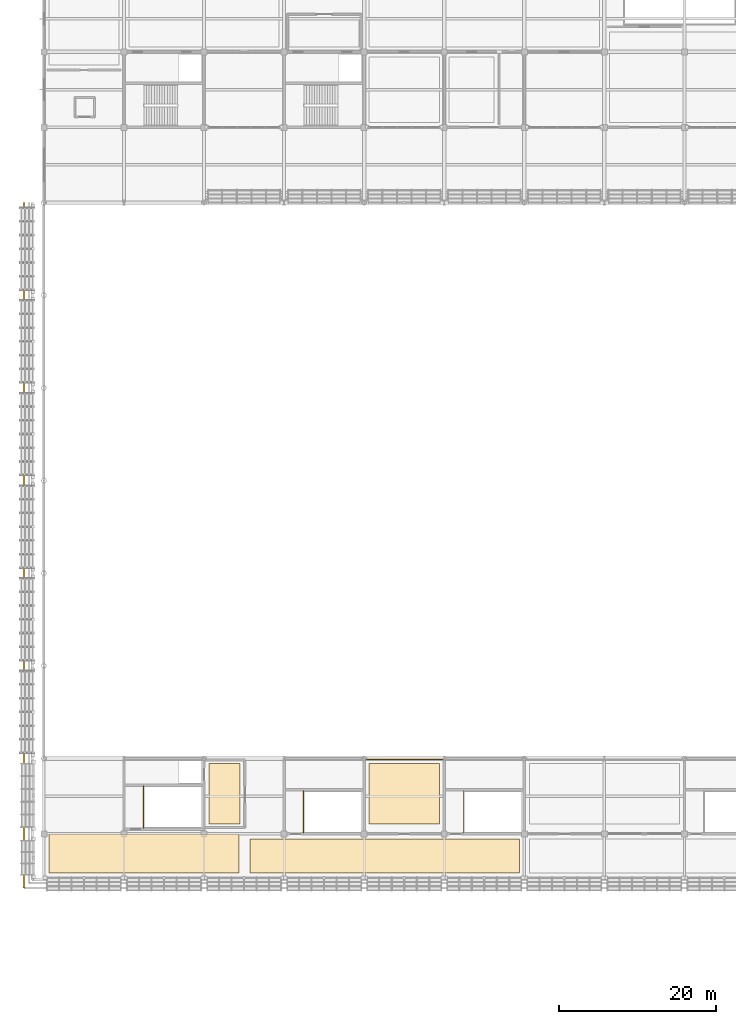
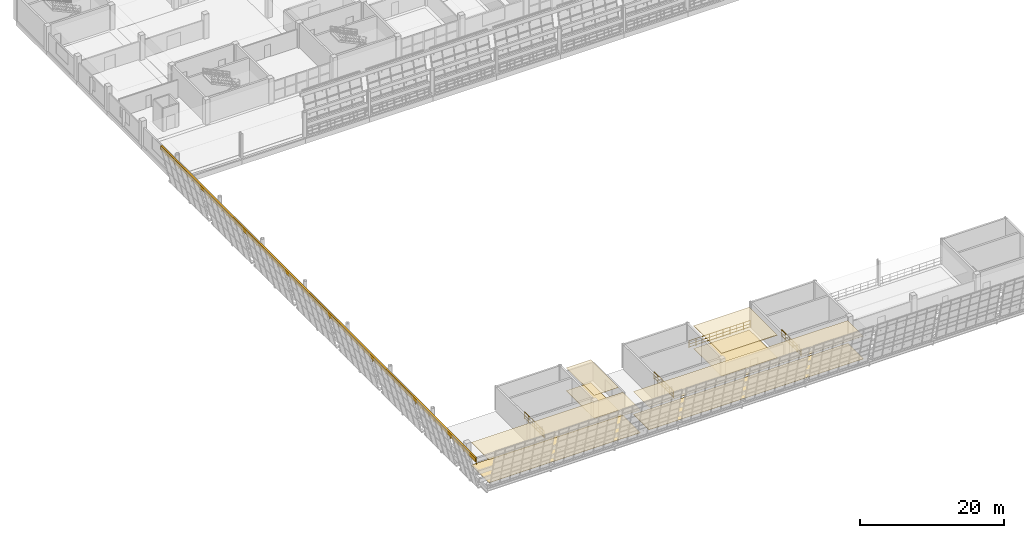
# One storey, part 143 of 157: 8 coverings, 5 railings.
"""IFC4 building model written with IfcOpenShell, lengths in metres."""

from ifc_helpers import new_model, si_unit, direction, frame, origin, origin_2d, place, context, subcontext, project, spatial, polyline, rectangle, circle, outline, extrude, material, layer, layer_set, type_object, element, save


model = new_model("IFC4")

# Units and contexts
model_context = context("Model", 3, precision=1e-05, world=origin(), true_north=direction((0.0, 1.0)))
body_context = subcontext(model_context, "Body", "Model", "MODEL_VIEW")
ifc_project = project(units=[si_unit("LENGTHUNIT", "METRE"), si_unit("AREAUNIT", "SQUARE_METRE"), si_unit("VOLUMEUNIT", "CUBIC_METRE"), si_unit("PLANEANGLEUNIT", "RADIAN"), si_unit("MASSUNIT", "GRAM", prefix="KILO")], contexts=[model_context])

# Site, building, storey
site_placement = place(None, origin())
site = spatial("IfcSite", under=ifc_project, at=site_placement, CompositionType="ELEMENT")
building_placement = place(site_placement, origin())
building = spatial("IfcBuilding", under=site, at=building_placement, Name="Brelvane Convention Centre", CompositionType="ELEMENT")
storey_placement = place(building_placement, frame((0.0, 0.0, 10.800048828125)))
storey = spatial("IfcBuildingStorey", under=building, at=storey_placement, Name="L02", CompositionType="ELEMENT", Elevation=10.800048828125)

# Coverings
ifc_material_1 = material(Name="Perforated Anodised Aluminium Alloy 6063 Acoustic Baffle", Category="aluminium")
ifc_layer_1 = layer(ifc_material_1, 0.06005859375)
ifc_layer_set_1 = layer_set([ifc_layer_1], Name="Perforated Anodised Aluminium Alloy 6063 Acoustic Baffle")
covering_type_1 = type_object("IfcCoveringType", Name="Interior Finish CL-BAF-60", PredefinedType="CEILING", material=ifc_layer_set_1)
covering_1_placement = place(storey_placement, frame((0.0, 0.0, 3.83984375)))
element("IfcCovering", 1, at=covering_1_placement, inside=storey, type_object=covering_type_1, Name="International Media Workroom Acoustic Ceiling (CL-BAF-60)", PredefinedType="CEILING", context=body_context, shape_type="SweptSolid", body=[
    extrude(outline(polyline([(26.22998046875, 14.22998046875), (60.570068359375, 14.22998046875), (60.570068359375, 18.570068359375), (26.22998046875, 18.570068359375), (26.22998046875, 14.22998046875)])), origin(), (0.0, 0.0, 1.0), 0.06005859375),
])
ifc_material_2 = material(Name="Perforated Anodised Aluminium Alloy 6063 Acoustic Baffle", Category="aluminium")
ifc_layer_2 = layer(ifc_material_2, 0.090087890625)
ifc_layer_set_2 = layer_set([ifc_layer_2], Name="Perforated Anodised Aluminium Alloy 6063 Acoustic Baffle")
covering_type_2 = type_object("IfcCoveringType", Name="Interior Finish CL-BAF-90", PredefinedType="CEILING", material=ifc_layer_set_2)
covering_2_placement = place(storey_placement, frame((0.0, 0.0, 3.81005859375)))
element("IfcCovering", 2, at=covering_2_placement, inside=storey, type_object=covering_type_2, Name="Exhibition Technical Control Gallery West Acoustic Ceiling (CL-BAF-90)", PredefinedType="CEILING", context=body_context, shape_type="SweptSolid", body=[
    extrude(outline(polyline([(41.429931640625, 20.429931640625), (50.3701171875, 20.429931640625), (50.3701171875, 28.169921875), (41.429931640625, 28.169921875), (41.429931640625, 20.429931640625)])), origin(), (0.0, 0.0, 1.0), 0.08984375),
])
ifc_material_3 = material(Name="Moisture-Resistant Acoustic Gypsum Ceiling Tile Grade A")
ifc_layer_3 = layer(ifc_material_3, 0.02490234375)
ifc_layer_set_3 = layer_set([ifc_layer_3], Name="Moisture-Resistant Acoustic Gypsum Ceiling Tile Grade A")
covering_type_3 = type_object("IfcCoveringType", Name="Interior Finish CL-GYP-25", PredefinedType="CEILING", material=ifc_layer_set_3)
covering_3_placement = place(storey_placement, frame((0.0, 0.0, 3.875)))
element("IfcCovering", 3, at=covering_3_placement, inside=storey, type_object=covering_type_3, Name="Firefighting Lift Lobby C1 Acoustic Ceiling (CL-GYP-25)", PredefinedType="CEILING", context=body_context, shape_type="SweptSolid", body=[
    extrude(outline(polyline([(21.030029296875, 20.429931640625), (24.969970703125, 20.429931640625), (24.969970703125, 28.169921875), (21.030029296875, 28.169921875), (21.030029296875, 20.429931640625)])), origin(), (0.0, 0.0, 1.0), 0.02490234375),
])
ifc_material_4 = material(Name="Moisture-Resistant Acoustic Gypsum Ceiling Tile Grade A")
ifc_layer_4 = layer(ifc_material_4, 0.0419921875)
ifc_layer_set_4 = layer_set([ifc_layer_4], Name="Moisture-Resistant Acoustic Gypsum Ceiling Tile Grade A")
covering_type_4 = type_object("IfcCoveringType", Name="Interior Finish CL-GYP-42", PredefinedType="CEILING", material=ifc_layer_set_4)
covering_4_placement = place(storey_placement, frame((0.0, 0.0, 3.85791015625)))
element("IfcCovering", 4, at=covering_4_placement, inside=storey, type_object=covering_type_4, Name="VIP Summit Lounge Acoustic Ceiling (CL-GYP-42)", PredefinedType="CEILING", context=body_context, shape_type="SweptSolid", body=[
    extrude(outline(polyline([(0.6298828125, 14.22998046875), (24.8701171875, 14.22998046875), (24.8701171875, 19.169921875), (0.6298828125, 19.169921875), (0.6298828125, 14.22998046875)])), origin(), (0.0, 0.0, 1.0), 0.0419921875),
])
ifc_material_5 = material(Name="Solution-Dyed Heavy Contract Wool Carpet Class 1")
ifc_layer_5 = layer(ifc_material_5, 0.028076171875)
ifc_layer_set_5 = layer_set([ifc_layer_5], Name="Solution-Dyed Heavy Contract Wool Carpet Class 1")
covering_type_5 = type_object("IfcCoveringType", Name="Interior Finish FL-CPT-28", PredefinedType="FLOORING", material=ifc_layer_set_5)
covering_5_placement = place(storey_placement, origin())
element("IfcCovering", 5, at=covering_5_placement, inside=storey, type_object=covering_type_5, Name="Firefighting Lift Lobby C1 Floor Finish (FL-CPT-28)", PredefinedType="FLOORING", context=body_context, shape_type="SweptSolid", body=[
    extrude(outline(polyline([(21.030029296875, 20.429931640625), (24.969970703125, 20.429931640625), (24.969970703125, 28.169921875), (21.030029296875, 28.169921875), (21.030029296875, 20.429931640625)])), origin(), (0.0, 0.0, 1.0), 0.02783203125),
])
ifc_material_6 = material(Name="Heavy-Duty Quartz-Filled Industrial Epoxy Screed Grade A")
ifc_layer_6 = layer(ifc_material_6, 0.034912109375)
ifc_layer_set_6 = layer_set([ifc_layer_6], Name="Heavy-Duty Quartz-Filled Industrial Epoxy Screed Grade A")
covering_type_6 = type_object("IfcCoveringType", Name="Interior Finish FL-EPX-35", PredefinedType="FLOORING", material=ifc_layer_set_6)
covering_6_placement = place(storey_placement, origin())
element("IfcCovering", 6, at=covering_6_placement, inside=storey, type_object=covering_type_6, Name="Exhibition Technical Control Gallery West Floor Finish (FL-EPX-35)", PredefinedType="FLOORING", context=body_context, shape_type="SweptSolid", body=[
    extrude(outline(polyline([(41.429931640625, 20.429931640625), (50.3701171875, 20.429931640625), (50.3701171875, 28.169921875), (41.429931640625, 28.169921875), (41.429931640625, 20.429931640625)])), origin(), (0.0, 0.0, 1.0), 0.034912109375),
])
ifc_material_7 = material(Name="Polished Basalt-Aggregate Terrazzo Screed Concrete M30", Category="masonry")
ifc_layer_7 = layer(ifc_material_7, 0.054931640625)
ifc_layer_set_7 = layer_set([ifc_layer_7], Name="Polished Basalt-Aggregate Terrazzo Screed Concrete M30")
covering_type_7 = type_object("IfcCoveringType", Name="Interior Finish FL-STN-55", PredefinedType="FLOORING", material=ifc_layer_set_7)
covering_7_placement = place(storey_placement, origin())
element("IfcCovering", 7, at=covering_7_placement, inside=storey, type_object=covering_type_7, Name="VIP Summit Lounge Floor Finish (FL-STN-55)", PredefinedType="FLOORING", context=body_context, shape_type="SweptSolid", body=[
    extrude(outline(polyline([(0.6298828125, 14.22998046875), (24.8701171875, 14.22998046875), (24.8701171875, 19.169921875), (0.6298828125, 19.169921875), (0.6298828125, 14.22998046875)])), origin(), (0.0, 0.0, 1.0), 0.054931640625),
])
ifc_material_8 = material(Name="Polished Basalt-Aggregate Terrazzo Screed Concrete M30", Category="masonry")
ifc_layer_8 = layer(ifc_material_8, 0.0400390625)
ifc_layer_set_8 = layer_set([ifc_layer_8], Name="Polished Basalt-Aggregate Terrazzo Screed Concrete M30")
covering_type_8 = type_object("IfcCoveringType", Name="Interior Finish FL-TER-40", PredefinedType="FLOORING", material=ifc_layer_set_8)
covering_8_placement = place(storey_placement, origin())
element("IfcCovering", 8, at=covering_8_placement, inside=storey, type_object=covering_type_8, Name="International Media Workroom Floor Finish (FL-TER-40)", PredefinedType="FLOORING", context=body_context, shape_type="SweptSolid", body=[
    extrude(outline(polyline([(26.22998046875, 14.22998046875), (60.570068359375, 14.22998046875), (60.570068359375, 18.570068359375), (26.22998046875, 18.570068359375), (26.22998046875, 14.22998046875)])), origin(), (0.0, 0.0, 1.0), 0.0400390625),
])

# Railings
ifc_material_9 = material(Name="Steel E350 (350 MPa)", Category="steel")
railing_type_1 = type_object("IfcRailingType", Name="Railing BL-ATR-2", PredefinedType="BALUSTRADE", material=ifc_material_9)
railing_1_placement = place(storey_placement, frame((41.0, 28.679931640625, 0.0)))
element("IfcRailing", 9, at=railing_1_placement, inside=storey, type_object=railing_type_1, Name="Railing BL-ATR-2 L02-exh_overlook_l02_w", PredefinedType="BALUSTRADE", context=body_context, shape_type="SweptSolid", body=[
    extrude(circle(Radius=0.02392578125, at=origin_2d()), frame((0.0, 0.0, 1.19580078125), z_axis=(1.0, 0.0, 0.0), x_axis=(0.0, 1.0, 0.0)), (0.0, 0.0, 1.0), 9.800048828125),
    extrude(circle(Radius=0.02392578125, at=origin_2d()), frame((0.0, 0.0, 0.63427734375), z_axis=(1.0, 0.0, 0.0), x_axis=(0.0, 1.0, 0.0)), (0.0, 0.0, 1.0), 9.800048828125),
    extrude(circle(Radius=0.02392578125, at=origin_2d()), frame((0.0, 0.0, 0.139892578125), z_axis=(1.0, 0.0, 0.0), x_axis=(0.0, 1.0, 0.0)), (0.0, 0.0, 1.0), 9.800048828125),
    extrude(circle(Radius=0.02099609375, at=origin_2d()), origin(), (0.0, 0.0, 1.0), 1.171875),
    extrude(circle(Radius=0.02099609375, at=origin_2d()), frame((1.0888671875, 0.0, 0.0)), (0.0, 0.0, 1.0), 1.171875),
    extrude(circle(Radius=0.02099609375, at=origin_2d()), frame((2.177734375, 0.0, 0.0)), (0.0, 0.0, 1.0), 1.171875),
    extrude(circle(Radius=0.02099609375, at=origin_2d()), frame((3.2666015625, 0.0, 0.0)), (0.0, 0.0, 1.0), 1.171875),
    extrude(circle(Radius=0.02099609375, at=origin_2d()), frame((4.35546875, 0.0, 0.0)), (0.0, 0.0, 1.0), 1.171875),
    extrude(circle(Radius=0.02099609375, at=origin_2d()), frame((5.444580078125, 0.0, 0.0)), (0.0, 0.0, 1.0), 1.171875),
    extrude(circle(Radius=0.02099609375, at=origin_2d()), frame((6.533447265625, 0.0, 0.0)), (0.0, 0.0, 1.0), 1.171875),
    extrude(circle(Radius=0.02099609375, at=origin_2d()), frame((7.622314453125, 0.0, 0.0)), (0.0, 0.0, 1.0), 1.171875),
    extrude(circle(Radius=0.02099609375, at=origin_2d()), frame((8.711181640625, 0.0, 0.0)), (0.0, 0.0, 1.0), 1.171875),
    extrude(circle(Radius=0.02099609375, at=origin_2d()), frame((9.800048828125, 0.0, 0.0)), (0.0, 0.0, 1.0), 1.171875),
])
ifc_material_10 = material(Name="Steel E350 (350 MPa)", Category="steel")
railing_type_2 = type_object("IfcRailingType", Name="Railing BL-CU-1", PredefinedType="BALUSTRADE", material=ifc_material_10)
railing_2_placement = place(storey_placement, frame((-2.547119140625, 12.29296875, 5.39990234375)))
element("IfcRailing", 10, at=railing_2_placement, inside=storey, type_object=railing_type_2, Name="Railing BL-CU-1 L02-cu_hull_w_6", PredefinedType="BALUSTRADE", context=body_context, shape_type="SweptSolid", body=[
    extrude(rectangle(XDim=0.280029296875, YDim=0.6201171875, at=origin_2d()), frame((0.0, 0.0, 0.81005859375), z_axis=(0.0, 1.0, 0.0), x_axis=(-1.0, 0.0, 0.0)), (0.0, 0.0, 1.0), 87.30712890625),
    extrude(circle(Radius=0.02099609375, at=origin_2d()), origin(), (0.0, 0.0, 1.0), 1.072021484375),
    extrude(circle(Radius=0.02099609375, at=origin_2d()), frame((0.0, 1.196044921875, 0.0)), (0.0, 0.0, 1.0), 1.072021484375),
    extrude(circle(Radius=0.02099609375, at=origin_2d()), frame((0.0, 2.39208984375, 0.0)), (0.0, 0.0, 1.0), 1.072021484375),
    extrude(circle(Radius=0.02099609375, at=origin_2d()), frame((0.0, 3.587890625, 0.0)), (0.0, 0.0, 1.0), 1.072021484375),
    extrude(circle(Radius=0.02099609375, at=origin_2d()), frame((0.0, 4.783935546875, 0.0)), (0.0, 0.0, 1.0), 1.072021484375),
    extrude(circle(Radius=0.02099609375, at=origin_2d()), frame((0.0, 5.97998046875, 0.0)), (0.0, 0.0, 1.0), 1.072021484375),
    extrude(circle(Radius=0.02099609375, at=origin_2d()), frame((0.0, 7.176025390625, 0.0)), (0.0, 0.0, 1.0), 1.072021484375),
    extrude(circle(Radius=0.02099609375, at=origin_2d()), frame((0.0, 8.371826171875, 0.0)), (0.0, 0.0, 1.0), 1.072021484375),
    extrude(circle(Radius=0.02099609375, at=origin_2d()), frame((0.0, 9.56787109375, 0.0)), (0.0, 0.0, 1.0), 1.072021484375),
    extrude(circle(Radius=0.02099609375, at=origin_2d()), frame((0.0, 10.763916015625, 0.0)), (0.0, 0.0, 1.0), 1.072021484375),
    extrude(circle(Radius=0.02099609375, at=origin_2d()), frame((0.0, 11.9599609375, 0.0)), (0.0, 0.0, 1.0), 1.072021484375),
    extrude(circle(Radius=0.02099609375, at=origin_2d()), frame((0.0, 13.15576171875, 0.0)), (0.0, 0.0, 1.0), 1.072021484375),
    extrude(circle(Radius=0.02099609375, at=origin_2d()), frame((0.0, 14.351806640625, 0.0)), (0.0, 0.0, 1.0), 1.072021484375),
    extrude(circle(Radius=0.02099609375, at=origin_2d()), frame((0.0, 15.5478515625, 0.0)), (0.0, 0.0, 1.0), 1.072021484375),
    extrude(circle(Radius=0.02099609375, at=origin_2d()), frame((0.0, 16.743896484375, 0.0)), (0.0, 0.0, 1.0), 1.072021484375),
    extrude(circle(Radius=0.02099609375, at=origin_2d()), frame((0.0, 17.93994140625, 0.0)), (0.0, 0.0, 1.0), 1.072021484375),
    extrude(circle(Radius=0.02099609375, at=origin_2d()), frame((0.0, 19.1357421875, 0.0)), (0.0, 0.0, 1.0), 1.072021484375),
    extrude(circle(Radius=0.02099609375, at=origin_2d()), frame((0.0, 20.331787109375, 0.0)), (0.0, 0.0, 1.0), 1.072021484375),
    extrude(circle(Radius=0.02099609375, at=origin_2d()), frame((0.0, 21.52783203125, 0.0)), (0.0, 0.0, 1.0), 1.072021484375),
    extrude(circle(Radius=0.02099609375, at=origin_2d()), frame((0.0, 22.723876953125, 0.0)), (0.0, 0.0, 1.0), 1.072021484375),
    extrude(circle(Radius=0.02099609375, at=origin_2d()), frame((0.0, 23.919677734375, 0.0)), (0.0, 0.0, 1.0), 1.072021484375),
    extrude(circle(Radius=0.02099609375, at=origin_2d()), frame((0.0, 25.11572265625, 0.0)), (0.0, 0.0, 1.0), 1.072021484375),
    extrude(circle(Radius=0.02099609375, at=origin_2d()), frame((0.0, 26.311767578125, 0.0)), (0.0, 0.0, 1.0), 1.072021484375),
    extrude(circle(Radius=0.02099609375, at=origin_2d()), frame((0.0, 27.5078125, 0.0)), (0.0, 0.0, 1.0), 1.072021484375),
    extrude(circle(Radius=0.02099609375, at=origin_2d()), frame((0.0, 28.70361328125, 0.0)), (0.0, 0.0, 1.0), 1.072021484375),
    extrude(circle(Radius=0.02099609375, at=origin_2d()), frame((0.0, 29.899658203125, 0.0)), (0.0, 0.0, 1.0), 1.072021484375),
    extrude(circle(Radius=0.02099609375, at=origin_2d()), frame((0.0, 31.095703125, 0.0)), (0.0, 0.0, 1.0), 1.072021484375),
    extrude(circle(Radius=0.02099609375, at=origin_2d()), frame((0.0, 32.291748046875, 0.0)), (0.0, 0.0, 1.0), 1.072021484375),
    extrude(circle(Radius=0.02099609375, at=origin_2d()), frame((0.0, 33.487548828125, 0.0)), (0.0, 0.0, 1.0), 1.072021484375),
    extrude(circle(Radius=0.02099609375, at=origin_2d()), frame((0.0, 34.68359375, 0.0)), (0.0, 0.0, 1.0), 1.072021484375),
    extrude(circle(Radius=0.02099609375, at=origin_2d()), frame((0.0, 35.879638671875, 0.0)), (0.0, 0.0, 1.0), 1.072021484375),
    extrude(circle(Radius=0.02099609375, at=origin_2d()), frame((0.0, 37.07568359375, 0.0)), (0.0, 0.0, 1.0), 1.072021484375),
    extrude(circle(Radius=0.02099609375, at=origin_2d()), frame((0.0, 38.271728515625, 0.0)), (0.0, 0.0, 1.0), 1.072021484375),
    extrude(circle(Radius=0.02099609375, at=origin_2d()), frame((0.0, 39.467529296875, 0.0)), (0.0, 0.0, 1.0), 1.072021484375),
    extrude(circle(Radius=0.02099609375, at=origin_2d()), frame((0.0, 40.66357421875, 0.0)), (0.0, 0.0, 1.0), 1.072021484375),
    extrude(circle(Radius=0.02099609375, at=origin_2d()), frame((0.0, 41.859619140625, 0.0)), (0.0, 0.0, 1.0), 1.072021484375),
    extrude(circle(Radius=0.02099609375, at=origin_2d()), frame((0.0, 43.0556640625, 0.0)), (0.0, 0.0, 1.0), 1.072021484375),
    extrude(circle(Radius=0.02099609375, at=origin_2d()), frame((0.0, 44.25146484375, 0.0)), (0.0, 0.0, 1.0), 1.072021484375),
    extrude(circle(Radius=0.02099609375, at=origin_2d()), frame((0.0, 45.447509765625, 0.0)), (0.0, 0.0, 1.0), 1.072021484375),
    extrude(circle(Radius=0.02099609375, at=origin_2d()), frame((0.0, 46.6435546875, 0.0)), (0.0, 0.0, 1.0), 1.072021484375),
    extrude(circle(Radius=0.02099609375, at=origin_2d()), frame((0.0, 47.839599609375, 0.0)), (0.0, 0.0, 1.0), 1.072021484375),
    extrude(circle(Radius=0.02099609375, at=origin_2d()), frame((0.0, 49.035400390625, 0.0)), (0.0, 0.0, 1.0), 1.072021484375),
    extrude(circle(Radius=0.02099609375, at=origin_2d()), frame((0.0, 50.2314453125, 0.0)), (0.0, 0.0, 1.0), 1.072021484375),
    extrude(circle(Radius=0.02099609375, at=origin_2d()), frame((0.0, 51.427490234375, 0.0)), (0.0, 0.0, 1.0), 1.072021484375),
    extrude(circle(Radius=0.02099609375, at=origin_2d()), frame((0.0, 52.62353515625, 0.0)), (0.0, 0.0, 1.0), 1.072021484375),
    extrude(circle(Radius=0.02099609375, at=origin_2d()), frame((0.0, 53.819580078125, 0.0)), (0.0, 0.0, 1.0), 1.072021484375),
    extrude(circle(Radius=0.02099609375, at=origin_2d()), frame((0.0, 55.015380859375, 0.0)), (0.0, 0.0, 1.0), 1.072021484375),
    extrude(circle(Radius=0.02099609375, at=origin_2d()), frame((0.0, 56.21142578125, 0.0)), (0.0, 0.0, 1.0), 1.072021484375),
    extrude(circle(Radius=0.02099609375, at=origin_2d()), frame((0.0, 57.407470703125, 0.0)), (0.0, 0.0, 1.0), 1.072021484375),
    extrude(circle(Radius=0.02099609375, at=origin_2d()), frame((0.0, 58.603515625, 0.0)), (0.0, 0.0, 1.0), 1.072021484375),
    extrude(circle(Radius=0.02099609375, at=origin_2d()), frame((0.0, 59.79931640625, 0.0)), (0.0, 0.0, 1.0), 1.072021484375),
    extrude(circle(Radius=0.02099609375, at=origin_2d()), frame((0.0, 60.995361328125, 0.0)), (0.0, 0.0, 1.0), 1.072021484375),
    extrude(circle(Radius=0.02099609375, at=origin_2d()), frame((0.0, 62.19140625, 0.0)), (0.0, 0.0, 1.0), 1.072021484375),
    extrude(circle(Radius=0.02099609375, at=origin_2d()), frame((0.0, 63.387451171875, 0.0)), (0.0, 0.0, 1.0), 1.072021484375),
    extrude(circle(Radius=0.02099609375, at=origin_2d()), frame((0.0, 64.583251953125, 0.0)), (0.0, 0.0, 1.0), 1.072021484375),
    extrude(circle(Radius=0.02099609375, at=origin_2d()), frame((0.0, 65.779296875, 0.0)), (0.0, 0.0, 1.0), 1.072021484375),
    extrude(circle(Radius=0.02099609375, at=origin_2d()), frame((0.0, 66.975341796875, 0.0)), (0.0, 0.0, 1.0), 1.072021484375),
    extrude(circle(Radius=0.02099609375, at=origin_2d()), frame((0.0, 68.17138671875, 0.0)), (0.0, 0.0, 1.0), 1.072021484375),
    extrude(circle(Radius=0.02099609375, at=origin_2d()), frame((0.0, 69.3671875, 0.0)), (0.0, 0.0, 1.0), 1.072021484375),
    extrude(circle(Radius=0.02099609375, at=origin_2d()), frame((0.0, 70.563232421875, 0.0)), (0.0, 0.0, 1.0), 1.072021484375),
    extrude(circle(Radius=0.02099609375, at=origin_2d()), frame((0.0, 71.75927734375, 0.0)), (0.0, 0.0, 1.0), 1.072021484375),
    extrude(circle(Radius=0.02099609375, at=origin_2d()), frame((0.0, 72.955322265625, 0.0)), (0.0, 0.0, 1.0), 1.072021484375),
    extrude(circle(Radius=0.02099609375, at=origin_2d()), frame((0.0, 74.1513671875, 0.0)), (0.0, 0.0, 1.0), 1.072021484375),
    extrude(circle(Radius=0.02099609375, at=origin_2d()), frame((0.0, 75.34716796875, 0.0)), (0.0, 0.0, 1.0), 1.072021484375),
    extrude(circle(Radius=0.02099609375, at=origin_2d()), frame((0.0, 76.543212890625, 0.0)), (0.0, 0.0, 1.0), 1.072021484375),
    extrude(circle(Radius=0.02099609375, at=origin_2d()), frame((0.0, 77.7392578125, 0.0)), (0.0, 0.0, 1.0), 1.072021484375),
    extrude(circle(Radius=0.02099609375, at=origin_2d()), frame((0.0, 78.935302734375, 0.0)), (0.0, 0.0, 1.0), 1.072021484375),
    extrude(circle(Radius=0.02099609375, at=origin_2d()), frame((0.0, 80.131103515625, 0.0)), (0.0, 0.0, 1.0), 1.072021484375),
    extrude(circle(Radius=0.02099609375, at=origin_2d()), frame((0.0, 81.3271484375, 0.0)), (0.0, 0.0, 1.0), 1.072021484375),
    extrude(circle(Radius=0.02099609375, at=origin_2d()), frame((0.0, 82.523193359375, 0.0)), (0.0, 0.0, 1.0), 1.072021484375),
    extrude(circle(Radius=0.02099609375, at=origin_2d()), frame((0.0, 83.71923828125, 0.0)), (0.0, 0.0, 1.0), 1.072021484375),
    extrude(circle(Radius=0.02099609375, at=origin_2d()), frame((0.0, 84.9150390625, 0.0)), (0.0, 0.0, 1.0), 1.072021484375),
    extrude(circle(Radius=0.02099609375, at=origin_2d()), frame((0.0, 86.111083984375, 0.0)), (0.0, 0.0, 1.0), 1.072021484375),
    extrude(circle(Radius=0.02099609375, at=origin_2d()), frame((0.0, 87.30712890625, 0.0)), (0.0, 0.0, 1.0), 1.072021484375),
])
ifc_material_11 = material(Name="Steel E350 (350 MPa)", Category="steel")
railing_type_3 = type_object("IfcRailingType", Name="Stair Railing GR-ST-2", PredefinedType="GUARDRAIL", material=ifc_material_11)
railing_3_placement = place(storey_placement, frame((12.68994140625, 19.919921875, -0.02001953125)))
element("IfcRailing", 11, at=railing_3_placement, inside=storey, type_object=railing_type_3, Name="Stair ST-01 L02 Top Well Guard", PredefinedType="GUARDRAIL", context=body_context, shape_type="SweptSolid", body=[
    extrude(circle(Radius=0.02392578125, at=origin_2d()), frame((0.0, 0.0, 1.15576171875), z_axis=(0.0, 1.0, 0.0), x_axis=(-1.0, 0.0, 0.0)), (0.0, 0.0, 1.0), 5.360107421875),
    extrude(circle(Radius=0.02392578125, at=origin_2d()), frame((0.0, 0.0, 0.613525390625), z_axis=(0.0, 1.0, 0.0), x_axis=(-1.0, 0.0, 0.0)), (0.0, 0.0, 1.0), 5.360107421875),
    extrude(circle(Radius=0.02392578125, at=origin_2d()), frame((0.0, 0.0, 0.139892578125), z_axis=(0.0, 1.0, 0.0), x_axis=(-1.0, 0.0, 0.0)), (0.0, 0.0, 1.0), 5.360107421875),
    extrude(circle(Radius=0.02099609375, at=origin_2d()), origin(), (0.0, 0.0, 1.0), 1.1318359375),
    extrude(circle(Radius=0.02099609375, at=origin_2d()), frame((0.0, 1.072021484375, 0.0)), (0.0, 0.0, 1.0), 1.1318359375),
    extrude(circle(Radius=0.02099609375, at=origin_2d()), frame((0.0, 2.14404296875, 0.0)), (0.0, 0.0, 1.0), 1.1318359375),
    extrude(circle(Radius=0.02099609375, at=origin_2d()), frame((0.0, 3.216064453125, 0.0)), (0.0, 0.0, 1.0), 1.1318359375),
    extrude(circle(Radius=0.02099609375, at=origin_2d()), frame((0.0, 4.2880859375, 0.0)), (0.0, 0.0, 1.0), 1.1318359375),
    extrude(circle(Radius=0.02099609375, at=origin_2d()), frame((0.0, 5.360107421875, 0.0)), (0.0, 0.0, 1.0), 1.1318359375),
])
for number, where, name in (
    (12, (53.489990234375, 19.320068359375, -0.02001953125), "Stair ST-09 L02 Top Well Guard"),
    (13, (33.090087890625, 19.320068359375, -0.02001953125), "Stair ST-19 L02 Top Well Guard"),
):
    element("IfcRailing", number, at=place(storey_placement, frame(where)), inside=storey, type_object=railing_type_3, Name=name, PredefinedType="GUARDRAIL", context=body_context, shape_type="SweptSolid", body=[
        extrude(circle(Radius=0.02392578125, at=origin_2d()), frame((0.0, 0.0, 1.15576171875), z_axis=(0.0, 1.0, 0.0), x_axis=(-1.0, 0.0, 0.0)), (0.0, 0.0, 1.0), 5.35986328125),
        extrude(circle(Radius=0.02392578125, at=origin_2d()), frame((0.0, 0.0, 0.613525390625), z_axis=(0.0, 1.0, 0.0), x_axis=(-1.0, 0.0, 0.0)), (0.0, 0.0, 1.0), 5.35986328125),
        extrude(circle(Radius=0.02392578125, at=origin_2d()), frame((0.0, 0.0, 0.139892578125), z_axis=(0.0, 1.0, 0.0), x_axis=(-1.0, 0.0, 0.0)), (0.0, 0.0, 1.0), 5.35986328125),
        extrude(circle(Radius=0.02099609375, at=origin_2d()), origin(), (0.0, 0.0, 1.0), 1.1318359375),
        extrude(circle(Radius=0.02099609375, at=origin_2d()), frame((0.0, 1.072021484375, 0.0)), (0.0, 0.0, 1.0), 1.1318359375),
        extrude(circle(Radius=0.02099609375, at=origin_2d()), frame((0.0, 2.14404296875, 0.0)), (0.0, 0.0, 1.0), 1.1318359375),
        extrude(circle(Radius=0.02099609375, at=origin_2d()), frame((0.0, 3.2158203125, 0.0)), (0.0, 0.0, 1.0), 1.1318359375),
        extrude(circle(Radius=0.02099609375, at=origin_2d()), frame((0.0, 4.287841796875, 0.0)), (0.0, 0.0, 1.0), 1.1318359375),
        extrude(circle(Radius=0.02099609375, at=origin_2d()), frame((0.0, 5.35986328125, 0.0)), (0.0, 0.0, 1.0), 1.1318359375),
    ])

save(model, "model.ifc")
